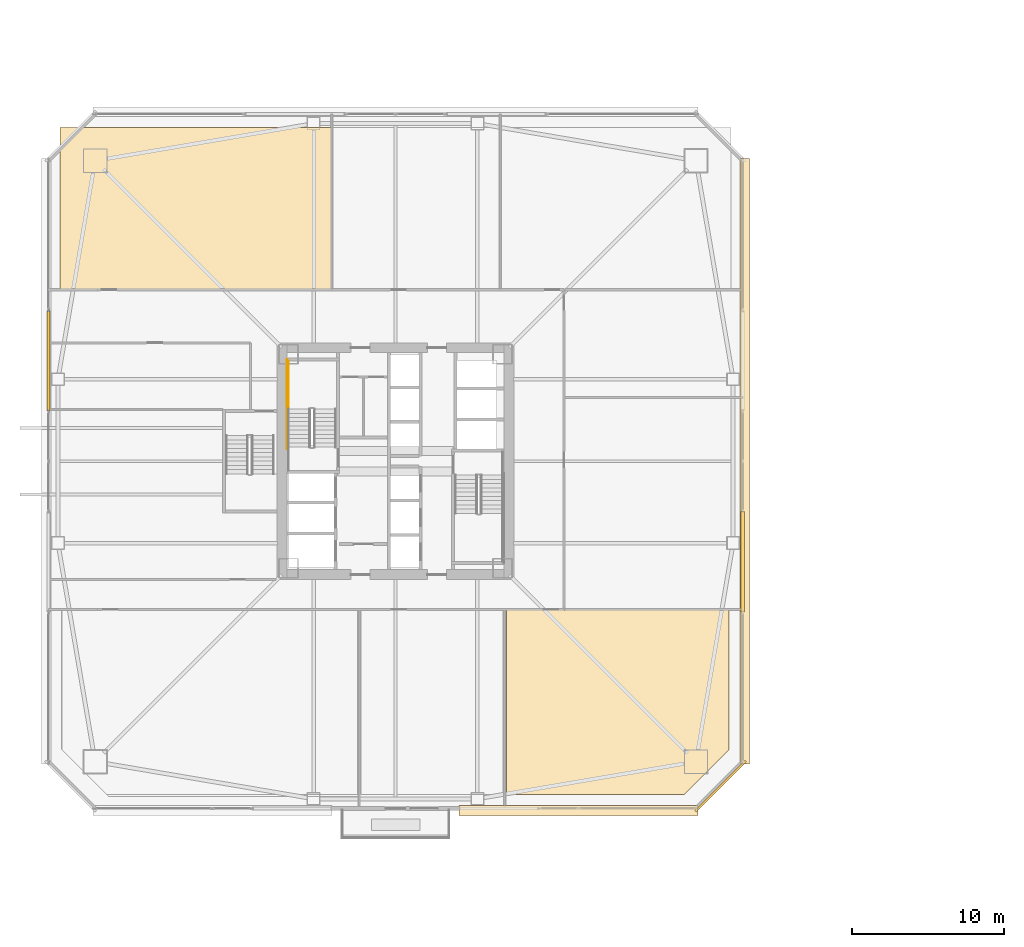
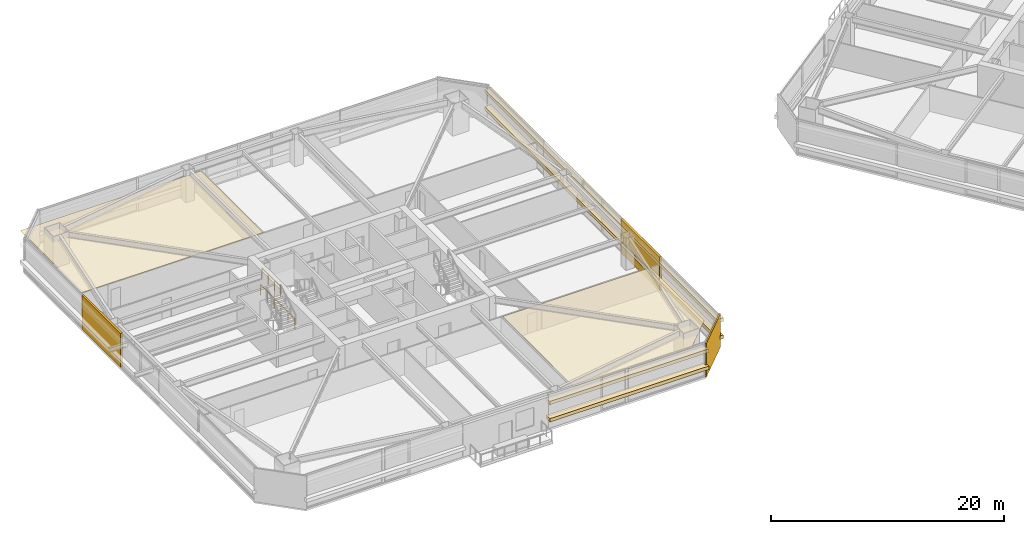
# One storey, part 41 of 46: 9 coverings, 2 railings.
"""IFC4 building model written with IfcOpenShell, lengths in metres."""

from ifc_helpers import new_model, si_unit, direction, frame, origin, origin_2d, place, context, subcontext, project, spatial, polyline, rectangle, outline, extrude, material, layer, layer_set, type_object, element, save


model = new_model("IFC4")

# Units and contexts
model_context = context("Model", 3, precision=1e-05, world=origin(), true_north=direction((0.0, 1.0)))
body_context = subcontext(model_context, "Body", "Model", "MODEL_VIEW")
ifc_project = project(units=[si_unit("LENGTHUNIT", "METRE"), si_unit("AREAUNIT", "SQUARE_METRE"), si_unit("VOLUMEUNIT", "CUBIC_METRE"), si_unit("PLANEANGLEUNIT", "RADIAN"), si_unit("MASSUNIT", "GRAM", prefix="KILO")], contexts=[model_context])

# Site, building, storey
site_placement = place(None, origin())
site = spatial("IfcSite", under=ifc_project, at=site_placement, CompositionType="ELEMENT")
building_placement = place(site_placement, origin())
building = spatial("IfcBuilding", under=site, at=building_placement, Name="Tashvorn Skyway Center", CompositionType="ELEMENT")
storey_placement = place(building_placement, frame((0.0, 0.0, 38.800048828125)))
storey = spatial("IfcBuildingStorey", under=building, at=storey_placement, Name="L09", CompositionType="ELEMENT", Elevation=38.800048828125)

# Coverings
ifc_material_1 = material(Name="Precast concrete C40/50", Category="concrete")
ifc_layer_1 = layer(ifc_material_1, 0.199951171875)
ifc_layer_set_1 = layer_set([ifc_layer_1], Name="Precast concrete C40/50")
covering_type_1 = type_object("IfcCoveringType", Name="COV-BRACE-CLAD", PredefinedType="CLADDING", material=ifc_layer_set_1)
for number, where, z_axis, x_axis, name in (
    (1, (19.1201171875, 38.626708984375, 0.0), (0.0, 0.0, 1.0), (0.0, 1.0, 0.0), "Tower 1 L09 West Unitised Curtain Wall Mega-Brace Cladding Band 2"),
    (2, (64.8798828125, 25.373291015625, 0.0), (0.0, 0.0, 1.0), (0.0, -1.0, 0.0), "Tower 1 L09 East Unitised Curtain Wall Mega-Brace Cladding Band 2"),
):
    element("IfcCovering", number, at=place(storey_placement, frame(where, z_axis=z_axis, x_axis=x_axis)), inside=storey, type_object=covering_type_1, Name=name, PredefinedType="CLADDING", context=body_context, shape_type="SweptSolid", body=[
        extrude(rectangle(XDim=6.626708984375, YDim=0.199951171875, at=origin_2d()), origin(), (0.0, 0.0, 1.0), 3.550048828125),
    ])
ifc_material_2 = material(Name="Mineral-fibre acoustic ceiling tile on suspended grid")
ifc_layer_2 = layer(ifc_material_2, 0.02001953125)
ifc_layer_set_2 = layer_set([ifc_layer_2], Name="Mineral-fibre acoustic ceiling tile on suspended grid")
covering_type_2 = type_object("IfcCoveringType", Name="COV-CEIL-20", PredefinedType="CEILING", material=ifc_layer_set_2)
covering_1_placement = place(storey_placement, frame((0.0, 0.0, 2.682861328125)))
element("IfcCovering", 3, at=covering_1_placement, inside=storey, type_object=covering_type_2, Name="Tower 1 L09 Operations Control Room Acoustic Ceiling", PredefinedType="CEILING", context=body_context, shape_type="SweptSolid", body=[
    extrude(outline(polyline([(19.89990234375, 43.300048828125), (37.800048828125, 43.300048828125), (37.800048828125, 54.0), (19.89990234375, 54.0), (19.89990234375, 43.300048828125)])), origin(), (0.0, 0.0, 1.0), 0.02001953125),
])
covering_2_placement = place(storey_placement, frame((0.0, 0.0, 2.682861328125)))
element("IfcCovering", 4, at=covering_2_placement, inside=storey, type_object=covering_type_2, Name="Tower 1 L09 Security Control Room Acoustic Ceiling", PredefinedType="CEILING", context=body_context, shape_type="SweptSolid", body=[
    extrude(outline(polyline([(49.320068359375, 10.02001953125), (49.320068359375, 22.18994140625), (63.97998046875, 22.18994140625), (63.97998046875, 12.97998046875), (61.02001953125, 10.02001953125), (49.320068359375, 10.02001953125)])), origin(), (0.0, 0.0, 1.0), 0.02001953125),
])
ifc_material_3 = material(Name="Perforated ceramic-coated bronze aluminium solar screen", Category="aluminium")
ifc_layer_3 = layer(ifc_material_3, 0.85009765625)
ifc_layer_set_3 = layer_set([ifc_layer_3], Name="Perforated ceramic-coated bronze aluminium solar screen")
covering_type_3 = type_object("IfcCoveringType", Name="COV-SOLAR-BAND", PredefinedType="CLADDING", material=ifc_layer_set_3)
for number, where, z_axis, x_axis, name in (
    (5, (54.06494140625, 8.97998046875, 0.919921875), (0.0, 0.0, 1.0), (-1.0, 0.0, 0.0), "L09 Perforated Ceramic-Metal Solar Screen Louvre Band South 1"),
    (6, (54.06494140625, 8.97998046875, 2.7197265625), (0.0, 0.0, 1.0), (-1.0, 0.0, 0.0), "L09 Perforated Ceramic-Metal Solar Screen Louvre Band South 2"),
):
    element("IfcCovering", number, at=place(storey_placement, frame(where, z_axis=z_axis, x_axis=x_axis)), inside=storey, type_object=covering_type_3, Name=name, PredefinedType="CLADDING", context=body_context, shape_type="SweptSolid", body=[
        extrude(rectangle(XDim=15.75, YDim=0.639892578125, at=origin_2d()), origin(), (0.0, 0.0, 1.0), 0.360107421875),
    ])
for number, where, z_axis, x_axis, name in (
    (7, (65.02001953125, 32.0, 0.919921875), (0.0, 0.0, 1.0), (0.0, -1.0, 0.0), "L09 Perforated Ceramic-Metal Solar Screen Louvre Band East 1"),
    (8, (65.02001953125, 32.0, 2.7197265625), (0.0, 0.0, 1.0), (0.0, -1.0, 0.0), "L09 Perforated Ceramic-Metal Solar Screen Louvre Band East 2"),
):
    element("IfcCovering", number, at=place(storey_placement, frame(where, z_axis=z_axis, x_axis=x_axis)), inside=storey, type_object=covering_type_3, Name=name, PredefinedType="CLADDING", context=body_context, shape_type="SweptSolid", body=[
        extrude(rectangle(XDim=39.8798828125, YDim=0.639892578125, at=origin_2d()), origin(), (0.0, 0.0, 1.0), 0.360107421875),
    ])
ifc_layer_4 = layer(ifc_material_1, 0.35009765625)
ifc_layer_set_4 = layer_set([ifc_layer_4], Name="Precast concrete C40/50")
covering_type_4 = type_object("IfcCoveringType", Name="COV-STONE-TRIM", PredefinedType="CLADDING", material=ifc_layer_set_4)
covering_3_placement = place(storey_placement, frame((63.419921875, 10.580078125, 0.02001953125), z_axis=(0.0, 0.0, 1.0), x_axis=(0.707106781187, 0.707106781187, 0.0)))
element("IfcCovering", 9, at=covering_3_placement, inside=storey, type_object=covering_type_4, Name="Tower 1 L09 SE Mojave Limestone Corner Quoin", PredefinedType="CLADDING", context=body_context, shape_type="SweptSolid", body=[
    extrude(rectangle(XDim=4.685546875, YDim=0.139892578125, at=origin_2d()), origin(), (0.0, 0.0, 1.0), 3.510009765625),
])

# Railings
ifc_material_4 = material(Name="Painted galvanized steel S355", Category="steel")
railing_type = type_object("IfcRailingType", Name="RAIL-STGUARD-1100", PredefinedType="GUARDRAIL", material=ifc_material_4)
railing_1_placement = place(storey_placement, frame((34.949951171875, 35.43994140625, 1.77490234375)))
element("IfcRailing", 10, at=railing_1_placement, inside=storey, type_object=railing_type, Name="L09 ST-T1-1 stair guard 3", PredefinedType="GUARDRAIL", context=body_context, shape_type="SweptSolid", body=[
    extrude(rectangle(XDim=0.048095703125, YDim=0.048095703125, at=origin_2d()), frame((0.0, 0.0, 1.076171875), z_axis=(0.0, 1.0, 0.0), x_axis=(-1.0, 0.0, 0.0)), (0.0, 0.0, 1.0), 3.16015625),
    extrude(rectangle(XDim=0.0419921875, YDim=0.0419921875, at=origin_2d()), origin(), (0.0, 0.0, 1.0), 1.052001953125),
    extrude(rectangle(XDim=0.0419921875, YDim=0.0419921875, at=origin_2d()), frame((0.0, 1.053466796875, 0.0)), (0.0, 0.0, 1.0), 1.052001953125),
    extrude(rectangle(XDim=0.0419921875, YDim=0.0419921875, at=origin_2d()), frame((0.0, 2.106689453125, 0.0)), (0.0, 0.0, 1.0), 1.052001953125),
    extrude(rectangle(XDim=0.0419921875, YDim=0.0419921875, at=origin_2d()), frame((0.0, 3.16015625, 0.0)), (0.0, 0.0, 1.0), 1.052001953125),
])
railing_2_placement = place(storey_placement, frame((34.85009765625, 32.820068359375, 0.0)))
element("IfcRailing", 11, at=railing_2_placement, inside=storey, type_object=railing_type, Name="L09 ST-T1-1 stair guard 7", PredefinedType="GUARDRAIL", context=body_context, shape_type="SweptSolid", body=[
    extrude(rectangle(XDim=0.048095703125, YDim=0.048095703125, at=origin_2d()), frame((0.0, 0.0, 1.076171875), z_axis=(0.0, 1.0, 0.0), x_axis=(-1.0, 0.0, 0.0)), (0.0, 0.0, 1.0), 5.8798828125),
    extrude(rectangle(XDim=0.0419921875, YDim=0.0419921875, at=origin_2d()), origin(), (0.0, 0.0, 1.0), 1.052001953125),
    extrude(rectangle(XDim=0.0419921875, YDim=0.0419921875, at=origin_2d()), frame((0.0, 1.176025390625, 0.0)), (0.0, 0.0, 1.0), 1.052001953125),
    extrude(rectangle(XDim=0.0419921875, YDim=0.0419921875, at=origin_2d()), frame((0.0, 2.35205078125, 0.0)), (0.0, 0.0, 1.0), 1.052001953125),
    extrude(rectangle(XDim=0.0419921875, YDim=0.0419921875, at=origin_2d()), frame((0.0, 3.52783203125, 0.0)), (0.0, 0.0, 1.0), 1.052001953125),
    extrude(rectangle(XDim=0.0419921875, YDim=0.0419921875, at=origin_2d()), frame((0.0, 4.703857421875, 0.0)), (0.0, 0.0, 1.0), 1.052001953125),
    extrude(rectangle(XDim=0.0419921875, YDim=0.0419921875, at=origin_2d()), frame((0.0, 5.8798828125, 0.0)), (0.0, 0.0, 1.0), 1.052001953125),
])

save(model, "model.ifc")
